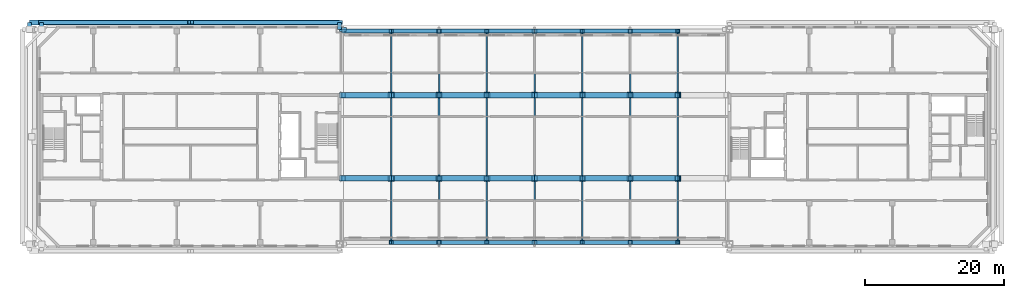
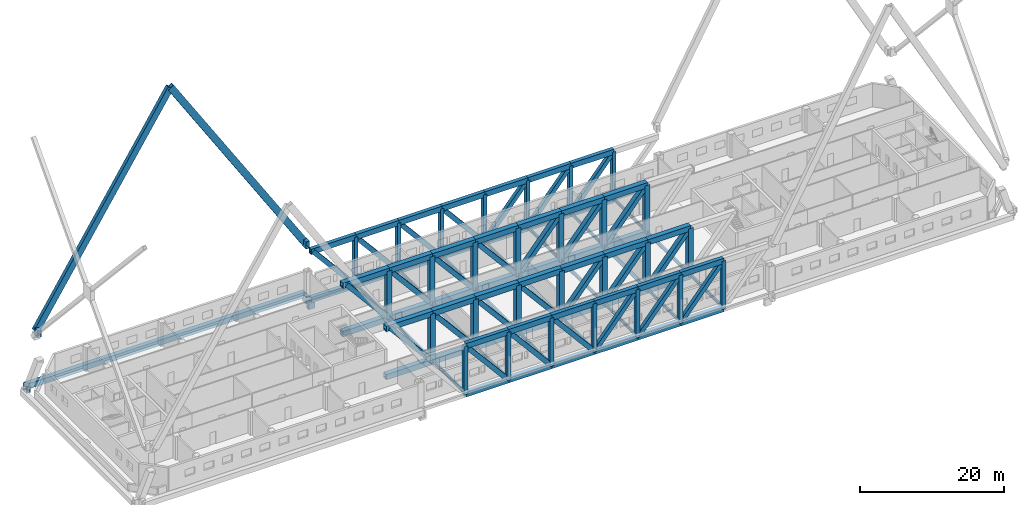
# One storey, part 2 of 17: 81 beams, 57 members.
"""IFC4 building model written with IfcOpenShell, lengths in metres."""

from ifc_helpers import new_model, si_unit, direction, frame, origin, origin_2d, place, context, subcontext, project, spatial, hollow_rectangle, i_section, extrude, material, material_profile, profile_set, type_object, element, save


model = new_model("IFC4")

# Units and contexts
model_context = context("Model", 3, precision=1e-05, world=origin(), true_north=direction((0.0, 1.0)))
body_context = subcontext(model_context, "Body", "Model", "MODEL_VIEW")
ifc_project = project(units=[si_unit("LENGTHUNIT", "METRE"), si_unit("AREAUNIT", "SQUARE_METRE"), si_unit("VOLUMEUNIT", "CUBIC_METRE"), si_unit("PLANEANGLEUNIT", "RADIAN"), si_unit("MASSUNIT", "GRAM", prefix="KILO")], contexts=[model_context])

# Site, building, storey
site_placement = place(None, origin())
site = spatial("IfcSite", under=ifc_project, at=site_placement, CompositionType="ELEMENT")
building_placement = place(site_placement, origin())
building = spatial("IfcBuilding", under=site, at=building_placement, Name="Tuart Gate Housing", CompositionType="ELEMENT")
storey_placement = place(building_placement, frame((0.0, 0.0, 194.39990234375)))
storey = spatial("IfcBuildingStorey", under=building, at=storey_placement, Name="L55", CompositionType="ELEMENT", Elevation=194.39990234375)

# Beams
ifc_material_1 = material(Name="Steel Grade 350", Category="steel")
ifc_material_profile_1 = material_profile(ifc_material_1, hollow_rectangle(XDim=0.60009765625, YDim=1.199951171875, WallThickness=0.0400390625, at=origin_2d()), Name="BOX 1200x600x40")
ifc_profile_set_1 = profile_set([ifc_material_profile_1], Name="Steel Grade 350")
beam_type_1 = type_object("IfcBeamType", Name="Brace shoe BOX 1200x600x40", PredefinedType="BEAM", material=ifc_profile_set_1)
for number, where, z_axis, x_axis, name in (
    (1, (30.800048828125, 85.449951171875, -0.39990234375), (0.0, 1.0, 0.0), (-1.0, 0.0, 0.0), "Mega tie beam A node 7 north shoe 0 L55"),
    (2, (75.449951171875, 85.449951171875, -0.849853515625), (0.0, 1.0, 0.0), (-1.0, 0.0, 0.0), "Mega tie beam A node 7 north shoe 1 L55"),
    (3, (75.449951171875, 85.449951171875, -1.7998046875), (1.0, 0.0, 0.0), (0.0, 1.0, 0.0), "Mega tie beam A node 7 east shoe 1 L55"),
    (4, (32.550048828125, 85.449951171875, 8.400146484375), (0.0, 1.0, 0.0), (-1.0, 0.0, 0.0), "Mega brace shoe A zone 8 north chevron 1"),
    (5, (75.449951171875, 85.449951171875, 8.400146484375), (0.0, 1.0, 0.0), (-1.0, 0.0, 0.0), "Mega brace shoe A zone 8 north chevron 2"),
):
    element("IfcBeam", number, at=place(storey_placement, frame(where, z_axis=z_axis, x_axis=x_axis)), inside=storey, type_object=beam_type_1, Name=name, PredefinedType="BEAM", context=body_context, shape_type="SweptSolid", body=[
        extrude(hollow_rectangle(XDim=0.60009765625, YDim=1.199951171875, WallThickness=0.0400390625, at=origin_2d()), origin(), (0.0, 0.0, 1.0), 1.0),
    ])
ifc_material_2 = material(Name="Steel Grade 350", Category="steel")
ifc_material_profile_2 = material_profile(ifc_material_2, i_section(OverallWidth=0.208984375, OverallDepth=0.532958984375, WebThickness=0.01025390625, FlangeThickness=0.015625, at=origin_2d()), Name="530UB92.4")
ifc_profile_set_2 = profile_set([ifc_material_profile_2], Name="Steel Grade 350")
beam_type_2 = type_object("IfcBeamType", Name="Floor beam 530 UB92.4", PredefinedType="BEAM", material=ifc_profile_set_2)
for number, where, z_axis, x_axis, name in (
    (6, (82.875, 55.10009765625, -0.515869140625), (0.0, 1.0, 0.0), (-1.0, 0.0, 0.0), "Block floor beam L55 bay 1 position 1"),
    (7, (82.875, 76.39990234375, -0.515869140625), (0.0, 1.0, 0.0), (-1.0, 0.0, 0.0), "Block floor beam L55 bay 1 position 3"),
    (8, (89.75, 55.10009765625, -0.515869140625), (0.0, 1.0, 0.0), (-1.0, 0.0, 0.0), "Block floor beam L55 bay 2 position 1"),
    (9, (89.75, 76.39990234375, -0.515869140625), (0.0, 1.0, 0.0), (-1.0, 0.0, 0.0), "Block floor beam L55 bay 2 position 3"),
    (10, (96.625, 55.10009765625, -0.515869140625), (0.0, 1.0, 0.0), (-1.0, 0.0, 0.0), "Block floor beam L55 bay 3 position 1"),
    (11, (96.625, 76.39990234375, -0.515869140625), (0.0, 1.0, 0.0), (-1.0, 0.0, 0.0), "Block floor beam L55 bay 3 position 3"),
    (12, (103.5, 55.10009765625, -0.515869140625), (0.0, 1.0, 0.0), (-1.0, 0.0, 0.0), "Block floor beam L55 bay 4 position 1"),
    (13, (103.5, 76.39990234375, -0.515869140625), (0.0, 1.0, 0.0), (-1.0, 0.0, 0.0), "Block floor beam L55 bay 4 position 3"),
    (14, (110.375, 55.10009765625, -0.515869140625), (0.0, 1.0, 0.0), (-1.0, 0.0, 0.0), "Block floor beam L55 bay 5 position 1"),
    (15, (110.375, 76.39990234375, -0.515869140625), (0.0, 1.0, 0.0), (-1.0, 0.0, 0.0), "Block floor beam L55 bay 5 position 3"),
    (16, (117.25, 55.10009765625, -0.515869140625), (0.0, 1.0, 0.0), (-1.0, 0.0, 0.0), "Block floor beam L55 bay 6 position 1"),
    (17, (117.25, 76.39990234375, -0.515869140625), (0.0, 1.0, 0.0), (-1.0, 0.0, 0.0), "Block floor beam L55 bay 6 position 3"),
    (18, (124.125, 55.10009765625, -0.515869140625), (0.0, 1.0, 0.0), (-1.0, 0.0, 0.0), "Block floor beam L55 bay 7 position 1"),
    (19, (124.125, 76.39990234375, -0.515869140625), (0.0, 1.0, 0.0), (-1.0, 0.0, 0.0), "Block floor beam L55 bay 7 position 3"),
):
    element("IfcBeam", number, at=place(storey_placement, frame(where, z_axis=z_axis, x_axis=x_axis)), inside=storey, type_object=beam_type_2, Name=name, PredefinedType="BEAM", context=body_context, shape_type="SweptSolid", body=[
        extrude(i_section(OverallWidth=0.208984375, OverallDepth=0.532958984375, WebThickness=0.01025390625, FlangeThickness=0.015625, at=origin_2d()), origin(), (0.0, 0.0, 1.0), 8.5),
    ])
ifc_material_3 = material(Name="Steel Grade 350", Category="steel")
ifc_material_profile_3 = material_profile(ifc_material_3, i_section(OverallWidth=0.22900390625, OverallDepth=0.612060546875, WebThickness=0.011962890625, FlangeThickness=0.01953125, at=origin_2d()), Name="610UB125")
ifc_profile_set_3 = profile_set([ifc_material_profile_3], Name="Steel Grade 350")
beam_type_3 = type_object("IfcBeamType", Name="Floor beam 610 UB125", PredefinedType="BEAM", material=ifc_profile_set_3)
for number, where, z_axis, x_axis, name in (
    (20, (82.875, 64.39990234375, -0.555908203125), (0.0, 1.0, 0.0), (-1.0, 0.0, 0.0), "Block floor beam L55 bay 1 position 2"),
    (21, (89.75, 64.39990234375, -0.555908203125), (0.0, 1.0, 0.0), (-1.0, 0.0, 0.0), "Block floor beam L55 bay 2 position 2"),
    (22, (96.625, 64.39990234375, -0.555908203125), (0.0, 1.0, 0.0), (-1.0, 0.0, 0.0), "Block floor beam L55 bay 3 position 2"),
    (23, (103.5, 64.39990234375, -0.555908203125), (0.0, 1.0, 0.0), (-1.0, 0.0, 0.0), "Block floor beam L55 bay 4 position 2"),
    (24, (110.375, 64.39990234375, -0.555908203125), (0.0, 1.0, 0.0), (-1.0, 0.0, 0.0), "Block floor beam L55 bay 5 position 2"),
    (25, (117.25, 64.39990234375, -0.555908203125), (0.0, 1.0, 0.0), (-1.0, 0.0, 0.0), "Block floor beam L55 bay 6 position 2"),
    (26, (124.125, 64.39990234375, -0.555908203125), (0.0, 1.0, 0.0), (-1.0, 0.0, 0.0), "Block floor beam L55 bay 7 position 2"),
):
    element("IfcBeam", number, at=place(storey_placement, frame(where, z_axis=z_axis, x_axis=x_axis)), inside=storey, type_object=beam_type_3, Name=name, PredefinedType="BEAM", context=body_context, shape_type="SweptSolid", body=[
        extrude(i_section(OverallWidth=0.22900390625, OverallDepth=0.612060546875, WebThickness=0.011962890625, FlangeThickness=0.01953125, at=origin_2d()), origin(), (0.0, 0.0, 1.0), 11.2001953125),
    ])

# Members
ifc_material_4 = material(Name="Steel Grade 350", Category="steel")
ifc_material_profile_4 = material_profile(ifc_material_4, hollow_rectangle(XDim=0.60009765625, YDim=1.050048828125, WallThickness=0.052001953125, at=origin_2d()), Name="BOX 1050x600x52")
ifc_profile_set_4 = profile_set([ifc_material_profile_4], Name="Steel Grade 350")
member_type_1 = type_object("IfcMemberType", Name="Mega brace BOX 1050x600x52", PredefinedType="BRACE", material=ifc_profile_set_4)
for number, where, z_axis, x_axis, name in (
    (27, (32.550048828125, 86.449951171875, 8.400146484375), (0.536956162423, 0.0, 0.843610146713), (0.0, 1.0, 0.0), "Mega brace A zone 8 north chevron 1"),
    (28, (75.449951171875, 86.449951171875, 8.400146484375), (-0.536956162423, 0.0, 0.843610146713), (0.0, -1.0, 0.0), "Mega brace A zone 8 north chevron 2"),
):
    element("IfcMember", number, at=place(storey_placement, frame(where, z_axis=z_axis, x_axis=x_axis)), inside=storey, type_object=member_type_1, Name=name, PredefinedType="BRACE", context=body_context, shape_type="SweptSolid", body=[
        extrude(hollow_rectangle(XDim=0.60009765625, YDim=1.050048828125, WallThickness=0.052001953125, at=origin_2d()), origin(), (0.0, 0.0, 1.0), 39.947265625),
    ])

# Beams
ifc_material_5 = material(Name="Steel Grade 350", Category="steel")
ifc_material_profile_5 = material_profile(ifc_material_5, hollow_rectangle(XDim=0.699951171875, YDim=0.89990234375, WallThickness=0.0400390625, at=origin_2d()), Name="BOX 900x700x40")
ifc_profile_set_5 = profile_set([ifc_material_profile_5], Name="Steel Grade 350")
beam_type_4 = type_object("IfcBeamType", Name="Tie beam BOX 900x700x40 (40.6-51.7 m)", PredefinedType="BEAM", material=ifc_profile_set_5)
beam_placement = place(storey_placement, frame((30.800048828125, 86.449951171875, -0.39990234375), z_axis=(1.0, 0.0, 0.0), x_axis=(0.0, 1.0, 0.0)))
element("IfcBeam", 29, at=beam_placement, inside=storey, type_object=beam_type_4, Name="Mega tie beam A node 7 north L55", PredefinedType="BEAM", context=body_context, shape_type="SweptSolid", body=[
    extrude(hollow_rectangle(XDim=0.699951171875, YDim=0.89990234375, WallThickness=0.0400390625, at=origin_2d()), origin(), (0.0, 0.0, 1.0), 44.64990234375),
])
ifc_material_6 = material(Name="Steel Grade 350", Category="steel")
ifc_material_profile_6 = material_profile(ifc_material_6, hollow_rectangle(XDim=0.60009765625, YDim=0.89990234375, WallThickness=0.050048828125, at=origin_2d()), Name="BOX 900x600x50")
ifc_profile_set_6 = profile_set([ifc_material_profile_6], Name="Steel Grade 350")
beam_type_5 = type_object("IfcBeamType", Name="Transfer truss chord BOX 900x600x50", PredefinedType="BEAM", material=ifc_profile_set_6)
for number, where, z_axis, x_axis, name in (
    (30, (82.875, 54.800048828125, -0.699951171875), (1.0, 0.0, 0.0), (0.0, 1.0, 0.0), "Transfer truss line 1 bottom chord 1"),
    (31, (82.875, 54.800048828125, 7.4501953125), (1.0, 0.0, 0.0), (0.0, 1.0, 0.0), "Transfer truss line 1 top chord 1"),
    (32, (89.75, 54.800048828125, -0.699951171875), (1.0, 0.0, 0.0), (0.0, 1.0, 0.0), "Transfer truss line 1 bottom chord 2"),
    (33, (89.75, 54.800048828125, 7.4501953125), (1.0, 0.0, 0.0), (0.0, 1.0, 0.0), "Transfer truss line 1 top chord 2"),
    (34, (96.625, 54.800048828125, -0.699951171875), (1.0, 0.0, 0.0), (0.0, 1.0, 0.0), "Transfer truss line 1 bottom chord 3"),
    (35, (96.625, 54.800048828125, 7.4501953125), (1.0, 0.0, 0.0), (0.0, 1.0, 0.0), "Transfer truss line 1 top chord 3"),
    (36, (103.5, 54.800048828125, -0.699951171875), (1.0, 0.0, 0.0), (0.0, 1.0, 0.0), "Transfer truss line 1 bottom chord 4"),
    (37, (103.5, 54.800048828125, 7.4501953125), (1.0, 0.0, 0.0), (0.0, 1.0, 0.0), "Transfer truss line 1 top chord 4"),
    (38, (110.375, 54.800048828125, -0.699951171875), (1.0, 0.0, 0.0), (0.0, 1.0, 0.0), "Transfer truss line 1 bottom chord 5"),
    (39, (110.375, 54.800048828125, 7.4501953125), (1.0, 0.0, 0.0), (0.0, 1.0, 0.0), "Transfer truss line 1 top chord 5"),
    (40, (117.25, 54.800048828125, -0.699951171875), (1.0, 0.0, 0.0), (0.0, 1.0, 0.0), "Transfer truss line 1 bottom chord 6"),
    (41, (117.25, 54.800048828125, 7.4501953125), (1.0, 0.0, 0.0), (0.0, 1.0, 0.0), "Transfer truss line 1 top chord 6"),
):
    element("IfcBeam", number, at=place(storey_placement, frame(where, z_axis=z_axis, x_axis=x_axis)), inside=storey, type_object=beam_type_5, Name=name, PredefinedType="BEAM", context=body_context, shape_type="SweptSolid", body=[
        extrude(hollow_rectangle(XDim=0.60009765625, YDim=0.89990234375, WallThickness=0.050048828125, at=origin_2d()), origin(), (0.0, 0.0, 1.0), 6.875),
    ])
for number, where, z_axis, x_axis, name in (
    (42, (75.699951171875, 85.199951171875, -0.699951171875), (1.0, 0.0, 0.0), (0.0, 1.0, 0.0), "Transfer truss line 4 bottom chord 0"),
    (43, (75.699951171875, 85.199951171875, 7.4501953125), (1.0, 0.0, 0.0), (0.0, 1.0, 0.0), "Transfer truss line 4 top chord 0"),
):
    element("IfcBeam", number, at=place(storey_placement, frame(where, z_axis=z_axis, x_axis=x_axis)), inside=storey, type_object=beam_type_5, Name=name, PredefinedType="BEAM", context=body_context, shape_type="SweptSolid", body=[
        extrude(hollow_rectangle(XDim=0.60009765625, YDim=0.89990234375, WallThickness=0.050048828125, at=origin_2d()), origin(), (0.0, 0.0, 1.0), 7.175048828125),
    ])
for number, where, z_axis, x_axis, name in (
    (44, (82.875, 85.199951171875, -0.699951171875), (1.0, 0.0, 0.0), (0.0, 1.0, 0.0), "Transfer truss line 4 bottom chord 1"),
    (45, (82.875, 85.199951171875, 7.4501953125), (1.0, 0.0, 0.0), (0.0, 1.0, 0.0), "Transfer truss line 4 top chord 1"),
    (46, (89.75, 85.199951171875, -0.699951171875), (1.0, 0.0, 0.0), (0.0, 1.0, 0.0), "Transfer truss line 4 bottom chord 2"),
    (47, (89.75, 85.199951171875, 7.4501953125), (1.0, 0.0, 0.0), (0.0, 1.0, 0.0), "Transfer truss line 4 top chord 2"),
    (48, (96.625, 85.199951171875, -0.699951171875), (1.0, 0.0, 0.0), (0.0, 1.0, 0.0), "Transfer truss line 4 bottom chord 3"),
    (49, (96.625, 85.199951171875, 7.4501953125), (1.0, 0.0, 0.0), (0.0, 1.0, 0.0), "Transfer truss line 4 top chord 3"),
    (50, (103.5, 85.199951171875, -0.699951171875), (1.0, 0.0, 0.0), (0.0, 1.0, 0.0), "Transfer truss line 4 bottom chord 4"),
    (51, (103.5, 85.199951171875, 7.4501953125), (1.0, 0.0, 0.0), (0.0, 1.0, 0.0), "Transfer truss line 4 top chord 4"),
    (52, (110.375, 85.199951171875, -0.699951171875), (1.0, 0.0, 0.0), (0.0, 1.0, 0.0), "Transfer truss line 4 bottom chord 5"),
    (53, (110.375, 85.199951171875, 7.4501953125), (1.0, 0.0, 0.0), (0.0, 1.0, 0.0), "Transfer truss line 4 top chord 5"),
    (54, (117.25, 85.199951171875, -0.699951171875), (1.0, 0.0, 0.0), (0.0, 1.0, 0.0), "Transfer truss line 4 bottom chord 6"),
    (55, (117.25, 85.199951171875, 7.4501953125), (1.0, 0.0, 0.0), (0.0, 1.0, 0.0), "Transfer truss line 4 top chord 6"),
):
    element("IfcBeam", number, at=place(storey_placement, frame(where, z_axis=z_axis, x_axis=x_axis)), inside=storey, type_object=beam_type_5, Name=name, PredefinedType="BEAM", context=body_context, shape_type="SweptSolid", body=[
        extrude(hollow_rectangle(XDim=0.60009765625, YDim=0.89990234375, WallThickness=0.050048828125, at=origin_2d()), origin(), (0.0, 0.0, 1.0), 6.875),
    ])
ifc_material_7 = material(Name="Steel Grade 350", Category="steel")
ifc_material_profile_7 = material_profile(ifc_material_7, hollow_rectangle(XDim=0.800048828125, YDim=0.89990234375, WallThickness=0.06494140625, at=origin_2d()), Name="BOX 900x800x65")
ifc_profile_set_7 = profile_set([ifc_material_profile_7], Name="Steel Grade 350")
beam_type_6 = type_object("IfcBeamType", Name="Transfer truss chord BOX 900x800x65", PredefinedType="BEAM", material=ifc_profile_set_7)
for number, where, z_axis, x_axis, name in (
    (56, (75.39990234375, 64.0, -0.699951171875), (1.0, 0.0, 0.0), (0.0, 1.0, 0.0), "Transfer truss line 2 bottom chord 0"),
    (57, (75.39990234375, 64.0, 7.4501953125), (1.0, 0.0, 0.0), (0.0, 1.0, 0.0), "Transfer truss line 2 top chord 0"),
):
    element("IfcBeam", number, at=place(storey_placement, frame(where, z_axis=z_axis, x_axis=x_axis)), inside=storey, type_object=beam_type_6, Name=name, PredefinedType="BEAM", context=body_context, shape_type="SweptSolid", body=[
        extrude(hollow_rectangle(XDim=0.800048828125, YDim=0.89990234375, WallThickness=0.06494140625, at=origin_2d()), origin(), (0.0, 0.0, 1.0), 7.47509765625),
    ])
for number, where, z_axis, x_axis, name in (
    (58, (82.875, 64.0, -0.699951171875), (1.0, 0.0, 0.0), (0.0, 1.0, 0.0), "Transfer truss line 2 bottom chord 1"),
    (59, (82.875, 64.0, 7.4501953125), (1.0, 0.0, 0.0), (0.0, 1.0, 0.0), "Transfer truss line 2 top chord 1"),
    (60, (89.75, 64.0, -0.699951171875), (1.0, 0.0, 0.0), (0.0, 1.0, 0.0), "Transfer truss line 2 bottom chord 2"),
    (61, (89.75, 64.0, 7.4501953125), (1.0, 0.0, 0.0), (0.0, 1.0, 0.0), "Transfer truss line 2 top chord 2"),
    (62, (96.625, 64.0, -0.699951171875), (1.0, 0.0, 0.0), (0.0, 1.0, 0.0), "Transfer truss line 2 bottom chord 3"),
    (63, (96.625, 64.0, 7.4501953125), (1.0, 0.0, 0.0), (0.0, 1.0, 0.0), "Transfer truss line 2 top chord 3"),
    (64, (103.5, 64.0, -0.699951171875), (1.0, 0.0, 0.0), (0.0, 1.0, 0.0), "Transfer truss line 2 bottom chord 4"),
    (65, (103.5, 64.0, 7.4501953125), (1.0, 0.0, 0.0), (0.0, 1.0, 0.0), "Transfer truss line 2 top chord 4"),
    (66, (110.375, 64.0, -0.699951171875), (1.0, 0.0, 0.0), (0.0, 1.0, 0.0), "Transfer truss line 2 bottom chord 5"),
    (67, (110.375, 64.0, 7.4501953125), (1.0, 0.0, 0.0), (0.0, 1.0, 0.0), "Transfer truss line 2 top chord 5"),
    (68, (117.25, 64.0, -0.699951171875), (1.0, 0.0, 0.0), (0.0, 1.0, 0.0), "Transfer truss line 2 bottom chord 6"),
    (69, (117.25, 64.0, 7.4501953125), (1.0, 0.0, 0.0), (0.0, 1.0, 0.0), "Transfer truss line 2 top chord 6"),
):
    element("IfcBeam", number, at=place(storey_placement, frame(where, z_axis=z_axis, x_axis=x_axis)), inside=storey, type_object=beam_type_6, Name=name, PredefinedType="BEAM", context=body_context, shape_type="SweptSolid", body=[
        extrude(hollow_rectangle(XDim=0.800048828125, YDim=0.89990234375, WallThickness=0.06494140625, at=origin_2d()), origin(), (0.0, 0.0, 1.0), 6.875),
    ])
for number, where, z_axis, x_axis, name in (
    (70, (75.39990234375, 76.0, -0.699951171875), (1.0, 0.0, 0.0), (0.0, 1.0, 0.0), "Transfer truss line 3 bottom chord 0"),
    (71, (75.39990234375, 76.0, 7.4501953125), (1.0, 0.0, 0.0), (0.0, 1.0, 0.0), "Transfer truss line 3 top chord 0"),
):
    element("IfcBeam", number, at=place(storey_placement, frame(where, z_axis=z_axis, x_axis=x_axis)), inside=storey, type_object=beam_type_6, Name=name, PredefinedType="BEAM", context=body_context, shape_type="SweptSolid", body=[
        extrude(hollow_rectangle(XDim=0.800048828125, YDim=0.89990234375, WallThickness=0.06494140625, at=origin_2d()), origin(), (0.0, 0.0, 1.0), 7.47509765625),
    ])
for number, where, z_axis, x_axis, name in (
    (72, (82.875, 76.0, -0.699951171875), (1.0, 0.0, 0.0), (0.0, 1.0, 0.0), "Transfer truss line 3 bottom chord 1"),
    (73, (82.875, 76.0, 7.4501953125), (1.0, 0.0, 0.0), (0.0, 1.0, 0.0), "Transfer truss line 3 top chord 1"),
    (74, (89.75, 76.0, -0.699951171875), (1.0, 0.0, 0.0), (0.0, 1.0, 0.0), "Transfer truss line 3 bottom chord 2"),
    (75, (89.75, 76.0, 7.4501953125), (1.0, 0.0, 0.0), (0.0, 1.0, 0.0), "Transfer truss line 3 top chord 2"),
    (76, (96.625, 76.0, -0.699951171875), (1.0, 0.0, 0.0), (0.0, 1.0, 0.0), "Transfer truss line 3 bottom chord 3"),
    (77, (96.625, 76.0, 7.4501953125), (1.0, 0.0, 0.0), (0.0, 1.0, 0.0), "Transfer truss line 3 top chord 3"),
    (78, (103.5, 76.0, -0.699951171875), (1.0, 0.0, 0.0), (0.0, 1.0, 0.0), "Transfer truss line 3 bottom chord 4"),
    (79, (103.5, 76.0, 7.4501953125), (1.0, 0.0, 0.0), (0.0, 1.0, 0.0), "Transfer truss line 3 top chord 4"),
    (80, (110.375, 76.0, -0.699951171875), (1.0, 0.0, 0.0), (0.0, 1.0, 0.0), "Transfer truss line 3 bottom chord 5"),
    (81, (110.375, 76.0, 7.4501953125), (1.0, 0.0, 0.0), (0.0, 1.0, 0.0), "Transfer truss line 3 top chord 5"),
    (82, (117.25, 76.0, -0.699951171875), (1.0, 0.0, 0.0), (0.0, 1.0, 0.0), "Transfer truss line 3 bottom chord 6"),
    (83, (117.25, 76.0, 7.4501953125), (1.0, 0.0, 0.0), (0.0, 1.0, 0.0), "Transfer truss line 3 top chord 6"),
):
    element("IfcBeam", number, at=place(storey_placement, frame(where, z_axis=z_axis, x_axis=x_axis)), inside=storey, type_object=beam_type_6, Name=name, PredefinedType="BEAM", context=body_context, shape_type="SweptSolid", body=[
        extrude(hollow_rectangle(XDim=0.800048828125, YDim=0.89990234375, WallThickness=0.06494140625, at=origin_2d()), origin(), (0.0, 0.0, 1.0), 6.875),
    ])

# Members
ifc_material_8 = material(Name="Steel Grade 350", Category="steel")
ifc_material_profile_8 = material_profile(ifc_material_8, hollow_rectangle(XDim=0.60009765625, YDim=0.699951171875, WallThickness=0.0400390625, at=origin_2d()), Name="BOX 700x600x40")
ifc_profile_set_8 = profile_set([ifc_material_profile_8], Name="Steel Grade 350")
member_type_2 = type_object("IfcMemberType", Name="Transfer truss diagonal BOX 700x600x40", PredefinedType="BRACE", material=ifc_profile_set_8)
for number, where, z_axis, x_axis, name in (
    (84, (82.875, 54.800048828125, 7.4501953125), (0.644778562941, 0.0, -0.764369416429), (0.0, 1.0, 0.0), "Transfer truss line 1 diagonal 1"),
    (85, (89.75, 54.800048828125, 7.4501953125), (0.644778562941, 0.0, -0.764369416429), (0.0, 1.0, 0.0), "Transfer truss line 1 diagonal 2"),
    (86, (96.625, 54.800048828125, 7.4501953125), (0.644778562941, 0.0, -0.764369416429), (0.0, 1.0, 0.0), "Transfer truss line 1 diagonal 3"),
    (87, (103.5, 54.800048828125, -0.699951171875), (0.644778562941, 0.0, 0.764369416429), (0.0, 1.0, 0.0), "Transfer truss line 1 diagonal 4"),
    (88, (110.375, 54.800048828125, -0.699951171875), (0.644778562941, 0.0, 0.764369416429), (0.0, 1.0, 0.0), "Transfer truss line 1 diagonal 5"),
    (89, (117.25, 54.800048828125, -0.699951171875), (0.644778562941, 0.0, 0.764369416429), (0.0, 1.0, 0.0), "Transfer truss line 1 diagonal 6"),
    (90, (76.0, 85.199951171875, 7.4501953125), (0.644778562941, 0.0, -0.764369416429), (0.0, 1.0, 0.0), "Transfer truss line 4 diagonal 0"),
    (91, (82.875, 85.199951171875, 7.4501953125), (0.644778562941, 0.0, -0.764369416429), (0.0, 1.0, 0.0), "Transfer truss line 4 diagonal 1"),
    (92, (89.75, 85.199951171875, 7.4501953125), (0.644778562941, 0.0, -0.764369416429), (0.0, 1.0, 0.0), "Transfer truss line 4 diagonal 2"),
    (93, (96.625, 85.199951171875, 7.4501953125), (0.644778562941, 0.0, -0.764369416429), (0.0, 1.0, 0.0), "Transfer truss line 4 diagonal 3"),
    (94, (103.5, 85.199951171875, -0.699951171875), (0.644778562941, 0.0, 0.764369416429), (0.0, 1.0, 0.0), "Transfer truss line 4 diagonal 4"),
    (95, (110.375, 85.199951171875, -0.699951171875), (0.644778562941, 0.0, 0.764369416429), (0.0, 1.0, 0.0), "Transfer truss line 4 diagonal 5"),
    (96, (117.25, 85.199951171875, -0.699951171875), (0.644778562941, 0.0, 0.764369416429), (0.0, 1.0, 0.0), "Transfer truss line 4 diagonal 6"),
):
    element("IfcMember", number, at=place(storey_placement, frame(where, z_axis=z_axis, x_axis=x_axis)), inside=storey, type_object=member_type_2, Name=name, PredefinedType="BRACE", context=body_context, shape_type="SweptSolid", body=[
        extrude(hollow_rectangle(XDim=0.60009765625, YDim=0.699951171875, WallThickness=0.0400390625, at=origin_2d()), origin(), (0.0, 0.0, 1.0), 10.66259765625),
    ])
ifc_material_9 = material(Name="Steel Grade 350", Category="steel")
ifc_material_profile_9 = material_profile(ifc_material_9, hollow_rectangle(XDim=0.800048828125, YDim=0.699951171875, WallThickness=0.054931640625, at=origin_2d()), Name="BOX 700x800x55")
ifc_profile_set_9 = profile_set([ifc_material_profile_9], Name="Steel Grade 350")
member_type_3 = type_object("IfcMemberType", Name="Transfer truss diagonal BOX 700x800x55", PredefinedType="BRACE", material=ifc_profile_set_9)
for number, where, z_axis, x_axis, name in (
    (97, (76.0, 64.0, 7.4501953125), (0.644778562941, 0.0, -0.764369416429), (0.0, 1.0, 0.0), "Transfer truss line 2 diagonal 0"),
    (98, (82.875, 64.0, 7.4501953125), (0.644778562941, 0.0, -0.764369416429), (0.0, 1.0, 0.0), "Transfer truss line 2 diagonal 1"),
    (99, (89.75, 64.0, 7.4501953125), (0.644778562941, 0.0, -0.764369416429), (0.0, 1.0, 0.0), "Transfer truss line 2 diagonal 2"),
    (100, (96.625, 64.0, 7.4501953125), (0.644778562941, 0.0, -0.764369416429), (0.0, 1.0, 0.0), "Transfer truss line 2 diagonal 3"),
    (101, (103.5, 64.0, -0.699951171875), (0.644778562941, 0.0, 0.764369416429), (0.0, 1.0, 0.0), "Transfer truss line 2 diagonal 4"),
    (102, (110.375, 64.0, -0.699951171875), (0.644778562941, 0.0, 0.764369416429), (0.0, 1.0, 0.0), "Transfer truss line 2 diagonal 5"),
    (103, (117.25, 64.0, -0.699951171875), (0.644778562941, 0.0, 0.764369416429), (0.0, 1.0, 0.0), "Transfer truss line 2 diagonal 6"),
    (104, (76.0, 76.0, 7.4501953125), (0.644778562941, 0.0, -0.764369416429), (0.0, 1.0, 0.0), "Transfer truss line 3 diagonal 0"),
    (105, (82.875, 76.0, 7.4501953125), (0.644778562941, 0.0, -0.764369416429), (0.0, 1.0, 0.0), "Transfer truss line 3 diagonal 1"),
    (106, (89.75, 76.0, 7.4501953125), (0.644778562941, 0.0, -0.764369416429), (0.0, 1.0, 0.0), "Transfer truss line 3 diagonal 2"),
    (107, (96.625, 76.0, 7.4501953125), (0.644778562941, 0.0, -0.764369416429), (0.0, 1.0, 0.0), "Transfer truss line 3 diagonal 3"),
    (108, (103.5, 76.0, -0.699951171875), (0.644778562941, 0.0, 0.764369416429), (0.0, 1.0, 0.0), "Transfer truss line 3 diagonal 4"),
    (109, (110.375, 76.0, -0.699951171875), (0.644778562941, 0.0, 0.764369416429), (0.0, 1.0, 0.0), "Transfer truss line 3 diagonal 5"),
    (110, (117.25, 76.0, -0.699951171875), (0.644778562941, 0.0, 0.764369416429), (0.0, 1.0, 0.0), "Transfer truss line 3 diagonal 6"),
):
    element("IfcMember", number, at=place(storey_placement, frame(where, z_axis=z_axis, x_axis=x_axis)), inside=storey, type_object=member_type_3, Name=name, PredefinedType="BRACE", context=body_context, shape_type="SweptSolid", body=[
        extrude(hollow_rectangle(XDim=0.800048828125, YDim=0.699951171875, WallThickness=0.054931640625, at=origin_2d()), origin(), (0.0, 0.0, 1.0), 10.66259765625),
    ])
ifc_material_10 = material(Name="Steel Grade 350", Category="steel")
ifc_material_profile_10 = material_profile(ifc_material_10, hollow_rectangle(XDim=0.60009765625, YDim=0.60009765625, WallThickness=0.034912109375, at=origin_2d()), Name="BOX 600x600x35")
ifc_profile_set_10 = profile_set([ifc_material_profile_10], Name="Steel Grade 350")
member_type_4 = type_object("IfcMemberType", Name="Transfer truss post BOX 600x600x35", PredefinedType="POST", material=ifc_profile_set_10)
for number, where, z_axis, x_axis, name in (
    (111, (82.875, 54.800048828125, -0.699951171875), (0.0, 0.0, 1.0), (1.0, 0.0, 0.0), "Transfer truss line 1 post 1"),
    (112, (89.75, 54.800048828125, -0.699951171875), (0.0, 0.0, 1.0), (1.0, 0.0, 0.0), "Transfer truss line 1 post 2"),
    (113, (96.625, 54.800048828125, -0.699951171875), (0.0, 0.0, 1.0), (1.0, 0.0, 0.0), "Transfer truss line 1 post 3"),
    (114, (103.5, 54.800048828125, -0.699951171875), (0.0, 0.0, 1.0), (1.0, 0.0, 0.0), "Transfer truss line 1 post 4"),
    (115, (110.375, 54.800048828125, -0.699951171875), (0.0, 0.0, 1.0), (1.0, 0.0, 0.0), "Transfer truss line 1 post 5"),
    (116, (117.25, 54.800048828125, -0.699951171875), (0.0, 0.0, 1.0), (1.0, 0.0, 0.0), "Transfer truss line 1 post 6"),
    (117, (124.125, 54.800048828125, -0.699951171875), (0.0, 0.0, 1.0), (1.0, 0.0, 0.0), "Transfer truss line 1 post 7"),
    (118, (82.875, 85.199951171875, -0.699951171875), (0.0, 0.0, 1.0), (1.0, 0.0, 0.0), "Transfer truss line 4 post 1"),
    (119, (89.75, 85.199951171875, -0.699951171875), (0.0, 0.0, 1.0), (1.0, 0.0, 0.0), "Transfer truss line 4 post 2"),
    (120, (96.625, 85.199951171875, -0.699951171875), (0.0, 0.0, 1.0), (1.0, 0.0, 0.0), "Transfer truss line 4 post 3"),
    (121, (103.5, 85.199951171875, -0.699951171875), (0.0, 0.0, 1.0), (1.0, 0.0, 0.0), "Transfer truss line 4 post 4"),
    (122, (110.375, 85.199951171875, -0.699951171875), (0.0, 0.0, 1.0), (1.0, 0.0, 0.0), "Transfer truss line 4 post 5"),
    (123, (117.25, 85.199951171875, -0.699951171875), (0.0, 0.0, 1.0), (1.0, 0.0, 0.0), "Transfer truss line 4 post 6"),
    (124, (124.125, 85.199951171875, -0.699951171875), (0.0, 0.0, 1.0), (1.0, 0.0, 0.0), "Transfer truss line 4 post 7"),
):
    element("IfcMember", number, at=place(storey_placement, frame(where, z_axis=z_axis, x_axis=x_axis)), inside=storey, type_object=member_type_4, Name=name, PredefinedType="POST", context=body_context, shape_type="SweptSolid", body=[
        extrude(hollow_rectangle(XDim=0.60009765625, YDim=0.60009765625, WallThickness=0.034912109375, at=origin_2d()), origin(), (0.0, 0.0, 1.0), 8.150146484375),
    ])
ifc_material_11 = material(Name="Steel Grade 350", Category="steel")
ifc_material_profile_11 = material_profile(ifc_material_11, hollow_rectangle(XDim=0.800048828125, YDim=0.800048828125, WallThickness=0.044921875, at=origin_2d()), Name="BOX 800x800x45")
ifc_profile_set_11 = profile_set([ifc_material_profile_11], Name="Steel Grade 350")
member_type_5 = type_object("IfcMemberType", Name="Transfer truss post BOX 800x800x45", PredefinedType="POST", material=ifc_profile_set_11)
for number, where, z_axis, x_axis, name in (
    (125, (82.875, 64.0, -0.699951171875), (0.0, 0.0, 1.0), (1.0, 0.0, 0.0), "Transfer truss line 2 post 1"),
    (126, (89.75, 64.0, -0.699951171875), (0.0, 0.0, 1.0), (1.0, 0.0, 0.0), "Transfer truss line 2 post 2"),
    (127, (96.625, 64.0, -0.699951171875), (0.0, 0.0, 1.0), (1.0, 0.0, 0.0), "Transfer truss line 2 post 3"),
    (128, (103.5, 64.0, -0.699951171875), (0.0, 0.0, 1.0), (1.0, 0.0, 0.0), "Transfer truss line 2 post 4"),
    (129, (110.375, 64.0, -0.699951171875), (0.0, 0.0, 1.0), (1.0, 0.0, 0.0), "Transfer truss line 2 post 5"),
    (130, (117.25, 64.0, -0.699951171875), (0.0, 0.0, 1.0), (1.0, 0.0, 0.0), "Transfer truss line 2 post 6"),
    (131, (124.125, 64.0, -0.699951171875), (0.0, 0.0, 1.0), (1.0, 0.0, 0.0), "Transfer truss line 2 post 7"),
    (132, (82.875, 76.0, -0.699951171875), (0.0, 0.0, 1.0), (1.0, 0.0, 0.0), "Transfer truss line 3 post 1"),
    (133, (89.75, 76.0, -0.699951171875), (0.0, 0.0, 1.0), (1.0, 0.0, 0.0), "Transfer truss line 3 post 2"),
    (134, (96.625, 76.0, -0.699951171875), (0.0, 0.0, 1.0), (1.0, 0.0, 0.0), "Transfer truss line 3 post 3"),
    (135, (103.5, 76.0, -0.699951171875), (0.0, 0.0, 1.0), (1.0, 0.0, 0.0), "Transfer truss line 3 post 4"),
    (136, (110.375, 76.0, -0.699951171875), (0.0, 0.0, 1.0), (1.0, 0.0, 0.0), "Transfer truss line 3 post 5"),
    (137, (117.25, 76.0, -0.699951171875), (0.0, 0.0, 1.0), (1.0, 0.0, 0.0), "Transfer truss line 3 post 6"),
    (138, (124.125, 76.0, -0.699951171875), (0.0, 0.0, 1.0), (1.0, 0.0, 0.0), "Transfer truss line 3 post 7"),
):
    element("IfcMember", number, at=place(storey_placement, frame(where, z_axis=z_axis, x_axis=x_axis)), inside=storey, type_object=member_type_5, Name=name, PredefinedType="POST", context=body_context, shape_type="SweptSolid", body=[
        extrude(hollow_rectangle(XDim=0.800048828125, YDim=0.800048828125, WallThickness=0.044921875, at=origin_2d()), origin(), (0.0, 0.0, 1.0), 8.150146484375),
    ])

save(model, "model.ifc")
